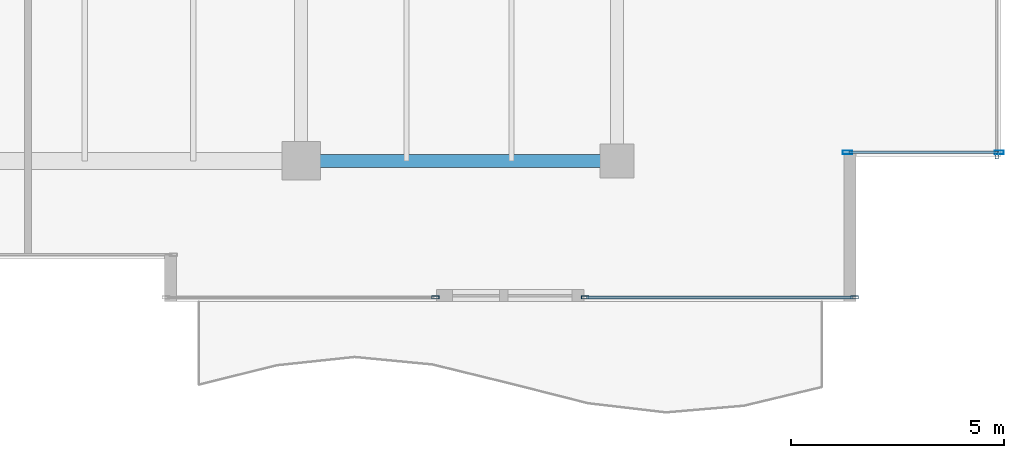
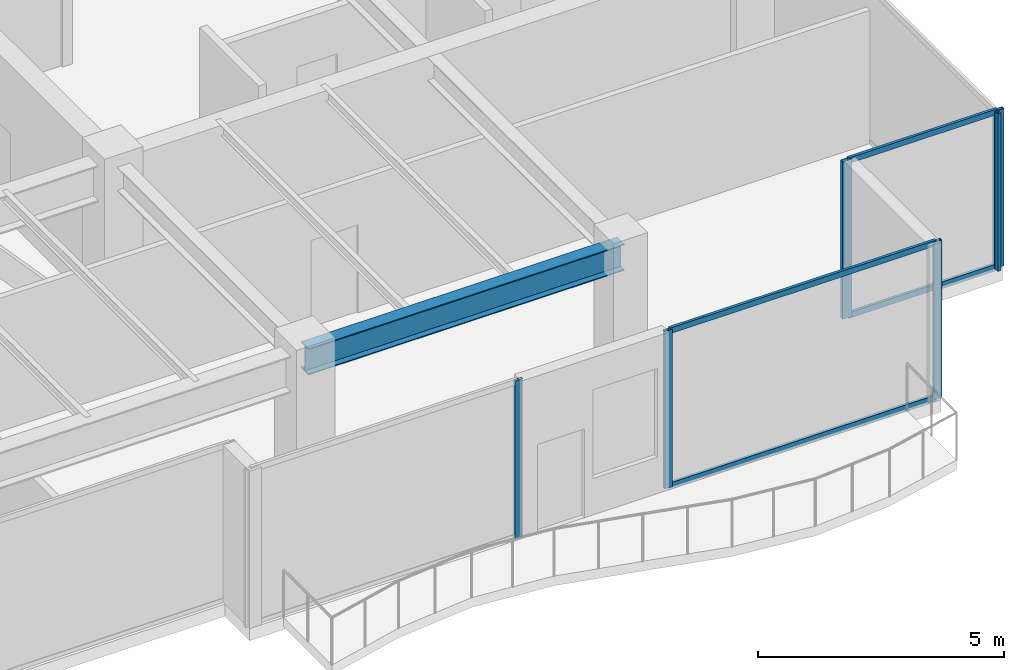
# One storey, part 12 of 31: 10 members, 1 beam, 4 elements without a shape of their own.
"""IFC4 building model written with IfcOpenShell, lengths in metres."""

from ifc_helpers import new_model, si_unit, direction, frame, origin, origin_2d, place, context, subcontext, project, spatial, hollow_rectangle, i_section, extrude, source, transform, mapped, material, layer, layer_set, material_profile, profile_set, type_object, type_shapes, element, aggregate, save


model = new_model("IFC4")

# Units and contexts
model_context = context("Model", 3, precision=1e-05, world=origin(), true_north=direction((0.0, 1.0)))
body_context = subcontext(model_context, "Body", "Model", "MODEL_VIEW")
ifc_project = project(units=[si_unit("LENGTHUNIT", "METRE"), si_unit("AREAUNIT", "SQUARE_METRE"), si_unit("VOLUMEUNIT", "CUBIC_METRE"), si_unit("PLANEANGLEUNIT", "RADIAN"), si_unit("MASSUNIT", "GRAM", prefix="KILO")], contexts=[model_context])

# Site, building, storey
site_placement = place(None, origin())
site = spatial("IfcSite", under=ifc_project, at=site_placement, CompositionType="ELEMENT")
building_placement = place(site_placement, origin())
building = spatial("IfcBuilding", under=site, at=building_placement, Name="Haelvirn Gate Laboratories", CompositionType="ELEMENT")
storey_placement = place(building_placement, frame((0.0, 0.0, 310.199951171875)))
storey = spatial("IfcBuildingStorey", under=building, at=storey_placement, Name="L74", CompositionType="ELEMENT", Elevation=310.199951171875)

# Beam
ifc_material_1 = material(Name="Steel SM355", Category="steel")
ifc_material_profile_1 = material_profile(ifc_material_1, i_section(OverallWidth=0.300048828125, OverallDepth=0.64990234375, WebThickness=0.012939453125, FlangeThickness=0.02197265625, at=origin_2d()), Name="H-650x300x13x22")
ifc_profile_set_1 = profile_set([ifc_material_profile_1], Name="Steel SM355")
beam_type = type_object("IfcBeamType", Name="BM-G-650", PredefinedType="BEAM", material=ifc_profile_set_1)
shared_shape_1 = source(origin(), body_context, "Body", "SweptSolid", [
    extrude(i_section(OverallWidth=0.300048828125, OverallDepth=0.64990234375, WebThickness=0.012939453125, FlangeThickness=0.02197265625, at=origin_2d()), origin(), (0.0, 0.0, 1.0), 7.39990234375),
])
type_shapes(beam_type, [shared_shape_1])
beam_placement = place(storey_placement, frame((52.60009765625, 7.0, 3.574951171875), z_axis=(1.0, 0.0, 0.0), x_axis=(0.0, 1.0, 0.0)))
element("IfcBeam", 1, at=beam_placement, inside=storey, type_object=beam_type, Name="L74 Primary Girder Y7.0 (52.6-60.0)", PredefinedType="BEAM", context=body_context, shape_type="MappedRepresentation", body=[
    mapped(shared_shape_1, transform((0.0, 0.0, 0.0), scale=1.0)),
])

# Curtain wall, members
ifc_material_2 = material(Name="Anodised bronze unitised aluminium & triple low-E glass", Category="aluminium")
ifc_layer_1 = layer(ifc_material_2, 0.181884765625, Name="CW-SYS-5")
ifc_layer_set_1 = layer_set([ifc_layer_1], Name="Anodised bronze unitised aluminium & triple low-E glass")
curtain_wall_type_1 = type_object("IfcCurtainWallType", Name="CW-SYS-5", PredefinedType="NOTDEFINED", material=ifc_layer_set_1)
curtain_wall_1_placement = place(storey_placement, origin())
curtain_wall_1 = element("IfcCurtainWall", 2, at=curtain_wall_1_placement, inside=storey, type_object=curtain_wall_type_1, Name="L74 Unitised Curtain Wall CW-L74-P0-E06-1", PredefinedType="NOTDEFINED")
ifc_material_3 = material(Name="Extruded aluminium 6063-T6 (anodised bronze)", Category="aluminium")
ifc_material_profile_2 = material_profile(ifc_material_3, hollow_rectangle(XDim=0.06494140625, YDim=0.139892578125, WallThickness=0.00390625, at=origin_2d()), Name="CWT-140x65x4")
ifc_profile_set_2 = profile_set([ifc_material_profile_2], Name="Extruded aluminium 6063-T6 (anodised bronze)")
member_type_1 = type_object("IfcMemberType", Name="CWT-T140", PredefinedType="USERDEFINED", material=ifc_profile_set_2)
shared_shape_2 = source(origin(), body_context, "Body", "SweptSolid", [
    extrude(hollow_rectangle(XDim=0.06494140625, YDim=0.139892578125, WallThickness=0.00390625, at=origin_2d()), origin(), (0.0, 0.0, 1.0), 3.47998046875),
])
member_1_placement = place(storey_placement, frame((65.43994140625, 7.199951171875, 0.032470703125), z_axis=(1.0, 0.0, 0.0), x_axis=(0.0, 1.0, 0.0)))
member_1 = element("IfcMember", 3, at=member_1_placement, type_object=member_type_1, Name="CW5 transom 1.1", ObjectType="TRANSOM", PredefinedType="USERDEFINED", context=body_context, shape_type="MappedRepresentation", body=[
    mapped(shared_shape_2, transform((0.0, 0.0, 0.0), scale=1.0)),
])
member_2_placement = place(storey_placement, frame((65.43994140625, 7.199951171875, 3.867431640625), z_axis=(1.0, 0.0, 0.0), x_axis=(0.0, 1.0, 0.0)))
member_2 = element("IfcMember", 4, at=member_2_placement, type_object=member_type_1, Name="CW5 transom 1.2", ObjectType="TRANSOM", PredefinedType="USERDEFINED", context=body_context, shape_type="MappedRepresentation", body=[
    mapped(shared_shape_2, transform((0.0, 0.0, 0.0), scale=1.0)),
])

# Curtain wall, member
ifc_layer_2 = layer(ifc_material_2, 0.176025390625, Name="CW-SYS-4")
ifc_layer_set_2 = layer_set([ifc_layer_2], Name="Anodised bronze unitised aluminium & triple low-E glass")
curtain_wall_type_2 = type_object("IfcCurtainWallType", Name="CW-SYS-4", PredefinedType="NOTDEFINED", material=ifc_layer_set_2)
curtain_wall_2_placement = place(storey_placement, origin())
curtain_wall_2 = element("IfcCurtainWall", 5, at=curtain_wall_2_placement, inside=storey, type_object=curtain_wall_type_2, Name="L74 Unitised Curtain Wall CW-L74-P0-E04-1", PredefinedType="NOTDEFINED")
ifc_material_profile_3 = material_profile(ifc_material_3, hollow_rectangle(XDim=0.070068359375, YDim=0.179931640625, WallThickness=0.0048828125, at=origin_2d()), Name="CWM-180x70x5")
ifc_profile_set_3 = profile_set([ifc_material_profile_3], Name="Extruded aluminium 6063-T6 (anodised bronze)")
member_type_2 = type_object("IfcMemberType", Name="CWM-T180", PredefinedType="MULLION", material=ifc_profile_set_3)
shared_shape_3 = source(origin(), body_context, "Body", "SweptSolid", [
    extrude(hollow_rectangle(XDim=0.070068359375, YDim=0.179931640625, WallThickness=0.0048828125, at=origin_2d()), origin(), (0.0, 0.0, 1.0), 3.900146484375),
])
type_shapes(member_type_2, [shared_shape_3])
member_3_placement = place(storey_placement, frame((55.7451171875, 3.800048828125, 0.0), z_axis=(0.0, 0.0, 1.0), x_axis=(0.0, 1.0, 0.0)))
member_3 = element("IfcMember", 6, at=member_3_placement, type_object=member_type_2, Name="CW4 mullion 2", PredefinedType="MULLION", context=body_context, shape_type="MappedRepresentation", body=[
    mapped(shared_shape_3, transform((0.0, 0.0, 0.0), scale=1.0)),
])
aggregate(curtain_wall_2, [member_3])

# Curtain wall, members
curtain_wall_3_placement = place(storey_placement, origin())
curtain_wall_3 = element("IfcCurtainWall", 7, at=curtain_wall_3_placement, inside=storey, type_object=curtain_wall_type_2, Name="L74 Unitised Curtain Wall CW-L74-P0-E04-2", PredefinedType="NOTDEFINED")
member_4_placement = place(storey_placement, frame((59.2548828125, 3.800048828125, 0.0), z_axis=(0.0, 0.0, 1.0), x_axis=(0.0, 1.0, 0.0)))
member_4 = element("IfcMember", 8, at=member_4_placement, type_object=member_type_2, Name="CW4 mullion 1", PredefinedType="MULLION", context=body_context, shape_type="MappedRepresentation", body=[
    mapped(shared_shape_3, transform((0.0, 0.0, 0.0), scale=1.0)),
])
member_5_placement = place(storey_placement, frame((65.56494140625, 3.800048828125, 0.0), z_axis=(0.0, 0.0, 1.0), x_axis=(0.0, 1.0, 0.0)))
member_5 = element("IfcMember", 9, at=member_5_placement, type_object=member_type_2, Name="CW4 mullion 2", PredefinedType="MULLION", context=body_context, shape_type="MappedRepresentation", body=[
    mapped(shared_shape_3, transform((0.0, 0.0, 0.0), scale=1.0)),
])

# Curtain wall, member
curtain_wall_4_placement = place(storey_placement, origin())
curtain_wall_4 = element("IfcCurtainWall", 10, at=curtain_wall_4_placement, inside=storey, type_object=curtain_wall_type_2, Name="L74 Unitised Curtain Wall CW-L74-P0-E07", PredefinedType="NOTDEFINED")
member_6_placement = place(storey_placement, frame((68.89990234375, 7.135009765625, 0.0), z_axis=(0.0, 0.0, 1.0), x_axis=(-1.0, 0.0, 0.0)))
member_6 = element("IfcMember", 11, at=member_6_placement, type_object=member_type_2, Name="CW4 mullion 1", PredefinedType="MULLION", context=body_context, shape_type="MappedRepresentation", body=[
    mapped(shared_shape_3, transform((0.0, 0.0, 0.0), scale=1.0)),
])
aggregate(curtain_wall_4, [member_6])

# Member
shared_shape_4 = source(origin(), body_context, "Body", "SweptSolid", [
    extrude(hollow_rectangle(XDim=0.06494140625, YDim=0.139892578125, WallThickness=0.00390625, at=origin_2d()), origin(), (0.0, 0.0, 1.0), 6.239990234375),
])
type_shapes(member_type_1, [shared_shape_2, shared_shape_4])
member_7_placement = place(storey_placement, frame((59.2900390625, 3.800048828125, 0.032470703125), z_axis=(1.0, 0.0, 0.0), x_axis=(0.0, 1.0, 0.0)))
member_7 = element("IfcMember", 12, at=member_7_placement, type_object=member_type_1, Name="CW4 transom 1.1", ObjectType="TRANSOM", PredefinedType="USERDEFINED", context=body_context, shape_type="MappedRepresentation", body=[
    mapped(shared_shape_4, transform((0.0, 0.0, 0.0), scale=1.0)),
])

member_8_placement = place(storey_placement, frame((59.2900390625, 3.800048828125, 3.867431640625), z_axis=(1.0, 0.0, 0.0), x_axis=(0.0, 1.0, 0.0)))
member_8 = element("IfcMember", 13, at=member_8_placement, type_object=member_type_1, Name="CW4 transom 1.2", ObjectType="TRANSOM", PredefinedType="USERDEFINED", context=body_context, shape_type="MappedRepresentation", body=[
    mapped(shared_shape_4, transform((0.0, 0.0, 0.0), scale=1.0)),
])

aggregate(curtain_wall_3, [member_4, member_5, member_7, member_8])

ifc_material_profile_4 = material_profile(ifc_material_3, hollow_rectangle(XDim=0.080078125, YDim=0.219970703125, WallThickness=0.006103515625, at=origin_2d()), Name="CWM-220x80x6")
ifc_profile_set_4 = profile_set([ifc_material_profile_4], Name="Extruded aluminium 6063-T6 (anodised bronze)")
member_type_3 = type_object("IfcMemberType", Name="CWM-T220", PredefinedType="MULLION", material=ifc_profile_set_4)
shared_shape_5 = source(origin(), body_context, "Body", "SweptSolid", [
    extrude(hollow_rectangle(XDim=0.080078125, YDim=0.219970703125, WallThickness=0.006103515625, at=origin_2d()), origin(), (0.0, 0.0, 1.0), 3.900146484375),
])
type_shapes(member_type_3, [shared_shape_5])
member_9_placement = place(storey_placement, frame((65.39990234375, 7.199951171875, 0.0), z_axis=(0.0, 0.0, 1.0), x_axis=(0.0, 1.0, 0.0)))
member_9 = element("IfcMember", 14, at=member_9_placement, type_object=member_type_3, Name="CW5 mullion 1", PredefinedType="MULLION", context=body_context, shape_type="MappedRepresentation", body=[
    mapped(shared_shape_5, transform((0.0, 0.0, 0.0), scale=1.0)),
])

member_10_placement = place(storey_placement, frame((68.9599609375, 7.199951171875, 0.0), z_axis=(0.0, 0.0, 1.0), x_axis=(0.0, 1.0, 0.0)))
member_10 = element("IfcMember", 15, at=member_10_placement, type_object=member_type_3, Name="CW5 mullion 2", PredefinedType="MULLION", context=body_context, shape_type="MappedRepresentation", body=[
    mapped(shared_shape_5, transform((0.0, 0.0, 0.0), scale=1.0)),
])

aggregate(curtain_wall_1, [member_9, member_10, member_1, member_2])

save(model, "model.ifc")
